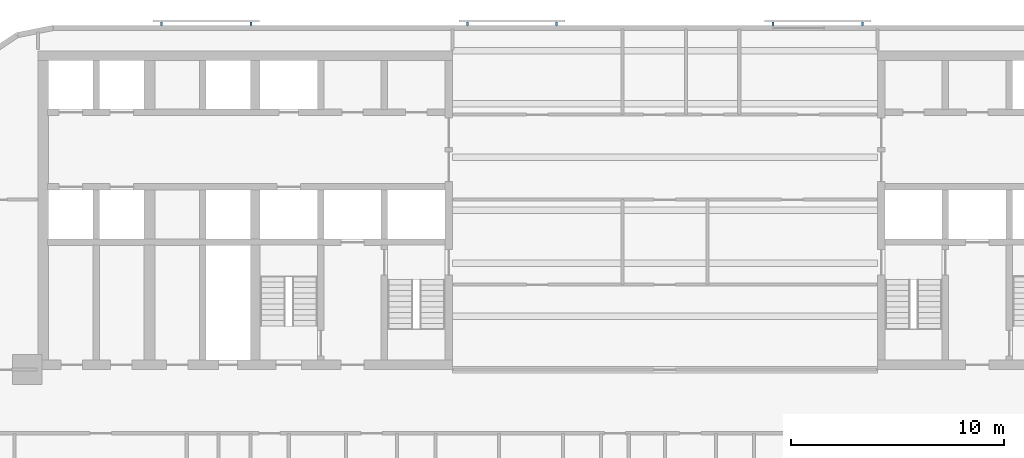
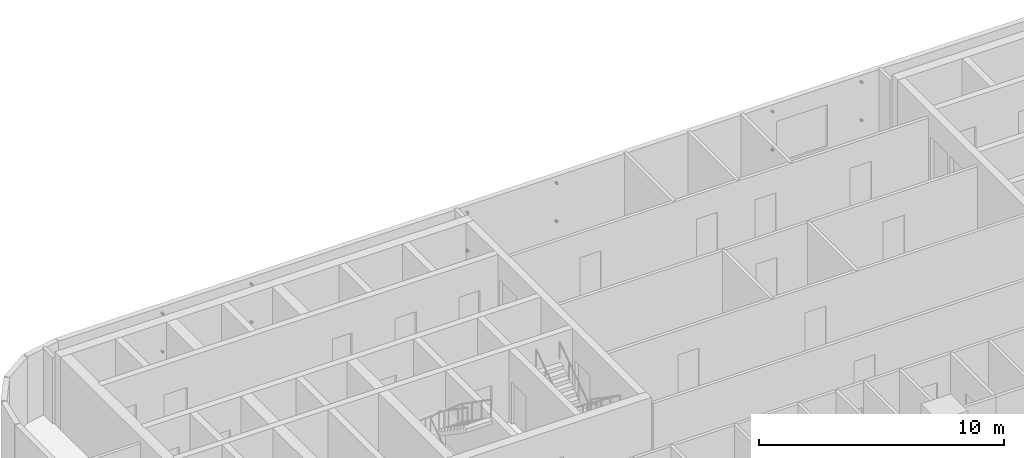
# One storey, part 10 of 14: 12 discrete accessories.
"""IFC4 building model written with IfcOpenShell, lengths in metres."""

from ifc_helpers import new_model, si_unit, direction, frame, origin, origin_2d, place, context, subcontext, project, spatial, rectangle, extrude, material, type_object, element, save


model = new_model("IFC4")

# Units and contexts
model_context = context("Model", 3, precision=1e-05, world=origin(), true_north=direction((0.0, 1.0)))
body_context = subcontext(model_context, "Body", "Model", "MODEL_VIEW")
ifc_project = project(units=[si_unit("LENGTHUNIT", "METRE"), si_unit("AREAUNIT", "SQUARE_METRE"), si_unit("VOLUMEUNIT", "CUBIC_METRE"), si_unit("PLANEANGLEUNIT", "RADIAN"), si_unit("MASSUNIT", "GRAM", prefix="KILO")], contexts=[model_context])

# Site, building, storey
site_placement = place(None, origin())
site = spatial("IfcSite", under=ifc_project, at=site_placement, CompositionType="ELEMENT")
building_placement = place(site_placement, origin())
building = spatial("IfcBuilding", under=site, at=building_placement, Name="Torana Hotel and Residences", CompositionType="ELEMENT")
storey_placement = place(building_placement, frame((0.0, 0.0, 103.199951171875)))
storey = spatial("IfcBuildingStorey", under=building, at=storey_placement, Name="L26", CompositionType="ELEMENT", Elevation=103.199951171875)

# Discrete accessories
ifc_material = material(Name="Steel S355", Category="steel")
discrete_accessory_type = type_object("IfcDiscreteAccessoryType", Name="SCREEN BRACKET 100", PredefinedType="BRACKET", material=ifc_material)
for number, where, z_axis, x_axis, name in (
    (1, (9.293701171875, 1.27490234375, 0.75), (0.0, 0.0, 1.0), (-1.0, 0.0, 0.0), "Screen bracket L26"),
    (2, (9.293701171875, 1.27490234375, 2.64990234375), (0.0, 0.0, 1.0), (-1.0, 0.0, 0.0), "Screen bracket L26"),
    (3, (5.09375, 1.27490234375, 0.75), (0.0, 0.0, 1.0), (-1.0, 0.0, 0.0), "Screen bracket L26"),
    (4, (5.09375, 1.27490234375, 2.64990234375), (0.0, 0.0, 1.0), (-1.0, 0.0, 0.0), "Screen bracket L26"),
    (5, (-5.09375, 1.27490234375, 0.75), (0.0, 0.0, 1.0), (-1.0, 0.0, 0.0), "Screen bracket L26"),
    (6, (-5.09375, 1.27490234375, 2.64990234375), (0.0, 0.0, 1.0), (-1.0, 0.0, 0.0), "Screen bracket L26"),
    (7, (-9.293701171875, 1.27490234375, 0.75), (0.0, 0.0, 1.0), (-1.0, 0.0, 0.0), "Screen bracket L26"),
    (8, (-9.293701171875, 1.27490234375, 2.64990234375), (0.0, 0.0, 1.0), (-1.0, 0.0, 0.0), "Screen bracket L26"),
    (9, (-19.4814453125, 1.27490234375, 0.75), (0.0, 0.0, 1.0), (-1.0, 0.0, 0.0), "Screen bracket L26"),
    (10, (-19.4814453125, 1.27490234375, 2.64990234375), (0.0, 0.0, 1.0), (-1.0, 0.0, 0.0), "Screen bracket L26"),
    (11, (-23.681396484375, 1.27490234375, 0.75), (0.0, 0.0, 1.0), (-1.0, 0.0, 0.0), "Screen bracket L26"),
    (12, (-23.681396484375, 1.27490234375, 2.64990234375), (0.0, 0.0, 1.0), (-1.0, 0.0, 0.0), "Screen bracket L26"),
):
    element("IfcDiscreteAccessory", number, at=place(storey_placement, frame(where, z_axis=z_axis, x_axis=x_axis)), inside=storey, type_object=discrete_accessory_type, Name=name, PredefinedType="BRACKET", context=body_context, shape_type="SweptSolid", body=[
        extrude(rectangle(XDim=0.10009765625, YDim=0.14990234375, at=origin_2d()), origin(), (0.0, 0.0, 1.0), 0.10009765625),
    ])

save(model, "model.ifc")
